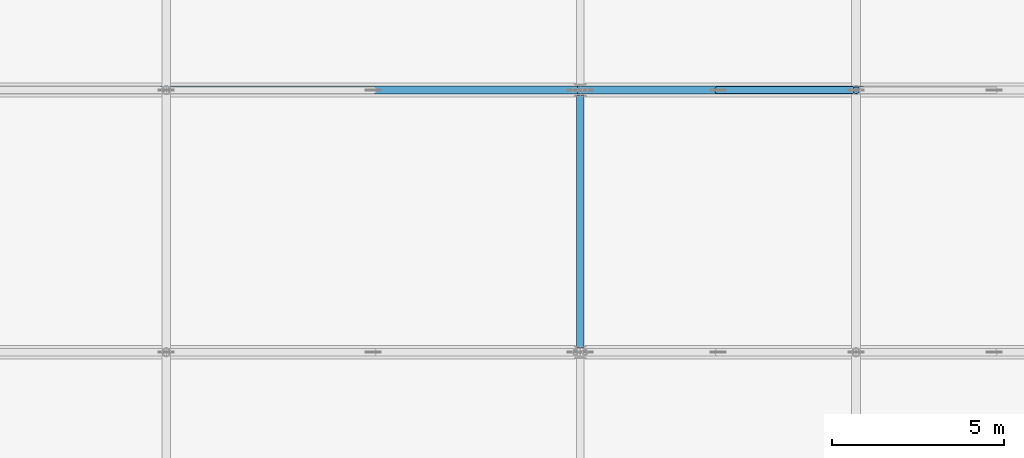
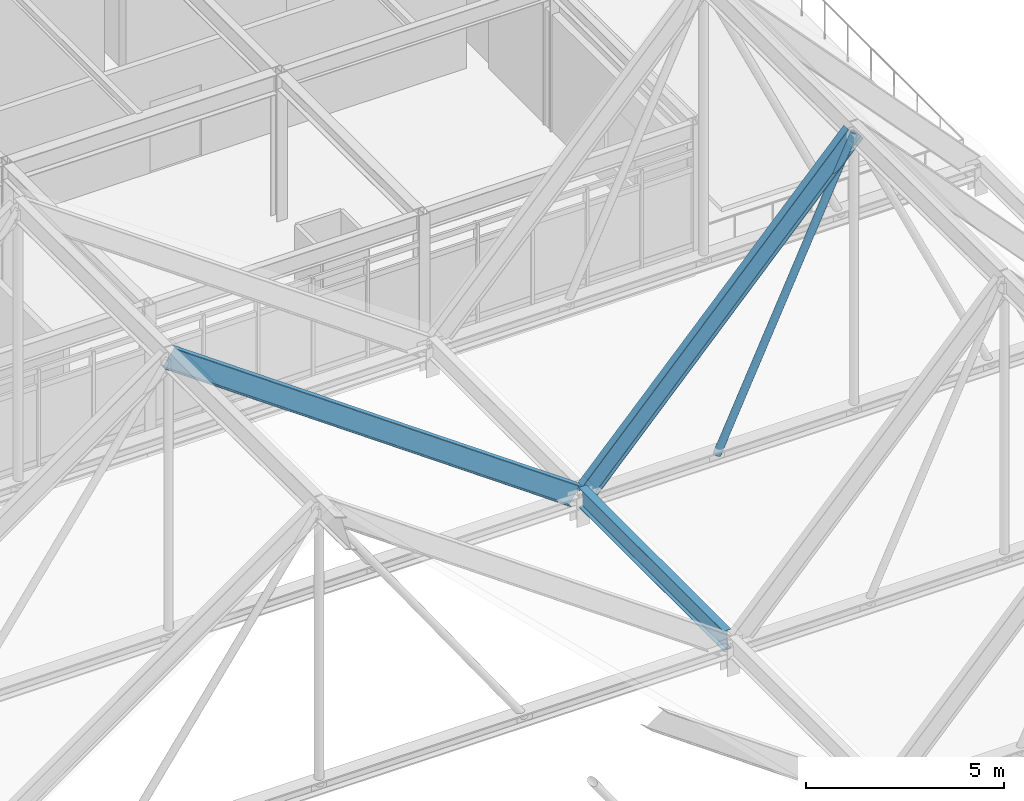
# One storey, part 58 of 100: 3 beams, 1 member.
"""IFC4 building model written with IfcOpenShell, lengths in metres."""

from ifc_helpers import new_model, si_unit, direction, frame, origin, origin_2d, place, context, subcontext, project, spatial, hollow_circle, i_section, extrude, material, material_profile, profile_set, type_object, element, save


model = new_model("IFC4")

# Units and contexts
model_context = context("Model", 3, precision=1e-05, world=origin(), true_north=direction((0.0, 1.0)))
body_context = subcontext(model_context, "Body", "Model", "MODEL_VIEW")
ifc_project = project(units=[si_unit("LENGTHUNIT", "METRE"), si_unit("AREAUNIT", "SQUARE_METRE"), si_unit("VOLUMEUNIT", "CUBIC_METRE"), si_unit("PLANEANGLEUNIT", "RADIAN"), si_unit("MASSUNIT", "GRAM", prefix="KILO")], contexts=[model_context])

# Site, building, storey
site_placement = place(None, origin())
site = spatial("IfcSite", under=ifc_project, at=site_placement, CompositionType="ELEMENT")
building_placement = place(site_placement, origin())
building = spatial("IfcBuilding", under=site, at=building_placement, Name="Zulena Civic Courthouse", CompositionType="ELEMENT")
storey_placement = place(building_placement, frame((0.0, 0.0, 20.39990234375)))
storey = spatial("IfcBuildingStorey", under=building, at=storey_placement, Name="L04", CompositionType="ELEMENT", Elevation=20.39990234375)

# Beams
ifc_material_1 = material(Name="Steel ASTM A992 Grade 50", Category="steel")
ifc_material_profile_1 = material_profile(ifc_material_1, i_section(OverallWidth=0.22802734375, OverallDepth=0.60693359375, WebThickness=0.01123046875, FlangeThickness=0.017333984375, FilletRadius=0.0126953125, at=origin_2d()), Name="W24X76")
ifc_profile_set_1 = profile_set([ifc_material_profile_1], Name="Steel ASTM A992 Grade 50")
beam_type = type_object("IfcBeamType", Name="RoofRafter_W24X76", PredefinedType="BEAM", material=ifc_profile_set_1)
beam_1_placement = place(storey_placement, frame((144.010009765625, 22.800048828125, 9.096435546875), z_axis=(0.815826895682, 0.0, -0.578296183873), x_axis=(0.0, 1.0, 0.0)))
element("IfcBeam", 1, at=beam_1_placement, inside=storey, type_object=beam_type, Name="beam:fold:rafE:06:22.8", PredefinedType="BEAM", context=body_context, shape_type="SweptSolid", body=[
    extrude(i_section(OverallWidth=0.22802734375, OverallDepth=0.60693359375, WebThickness=0.01123046875, FlangeThickness=0.017333984375, FilletRadius=0.0126953125, at=origin_2d()), origin(), (0.0, 0.0, 1.0), 14.525146484375),
])
beam_2_placement = place(storey_placement, frame((156.0, 15.340087890625, 0.696533203125), z_axis=(0.0, 1.0, 0.0), x_axis=(-1.0, 0.0, 0.0)))
element("IfcBeam", 2, at=beam_2_placement, inside=storey, type_object=beam_type, Name="beam:fold:val:L04:156.0:15.2", PredefinedType="BEAM", context=body_context, shape_type="SweptSolid", body=[
    extrude(i_section(OverallWidth=0.22802734375, OverallDepth=0.60693359375, WebThickness=0.01123046875, FlangeThickness=0.017333984375, FilletRadius=0.0126953125, at=origin_2d()), origin(), (0.0, 0.0, 1.0), 7.31982421875),
])
beam_3_placement = place(storey_placement, frame((156.139892578125, 22.800048828125, 0.65625), z_axis=(0.682781141332, 0.0, 0.730622962301), x_axis=(0.0, 1.0, 0.0)))
element("IfcBeam", 3, at=beam_3_placement, inside=storey, type_object=beam_type, Name="beam:fold:rafW:07:22.8", PredefinedType="BEAM", context=body_context, shape_type="SweptSolid", body=[
    extrude(i_section(OverallWidth=0.22802734375, OverallDepth=0.60693359375, WebThickness=0.01123046875, FlangeThickness=0.017333984375, FilletRadius=0.0126953125, at=origin_2d()), origin(), (0.0, 0.0, 1.0), 11.497314453125),
])

# Member
ifc_material_2 = material(Name="Steel ASTM A500 Grade C", Category="steel")
ifc_material_profile_2 = material_profile(ifc_material_2, hollow_circle(Radius=0.109619140625, WallThickness=0.0087890625, at=origin_2d()), Name="HSS8.625X0.375")
ifc_profile_set_2 = profile_set([ifc_material_profile_2], Name="Steel ASTM A500 Grade C")
member_type = type_object("IfcMemberType", Name="RoofWeb_CHS8", PredefinedType="USERDEFINED", material=ifc_profile_set_2)
member_placement = place(storey_placement, frame((160.0, 22.800048828125, 0.496337890625), z_axis=(0.423346552263, 0.0, 0.905967823208), x_axis=(0.0, 1.0, 0.0)))
element("IfcMember", 4, at=member_placement, inside=storey, type_object=member_type, Name="mem:fold:diagW:07:22.8", ObjectType="ROOF TRUSS", PredefinedType="USERDEFINED", context=body_context, shape_type="SweptSolid", body=[
    extrude(hollow_circle(Radius=0.109619140625, WallThickness=0.0087890625, at=origin_2d()), origin(), (0.0, 0.0, 1.0), 9.448486328125),
])

save(model, "model.ifc")
